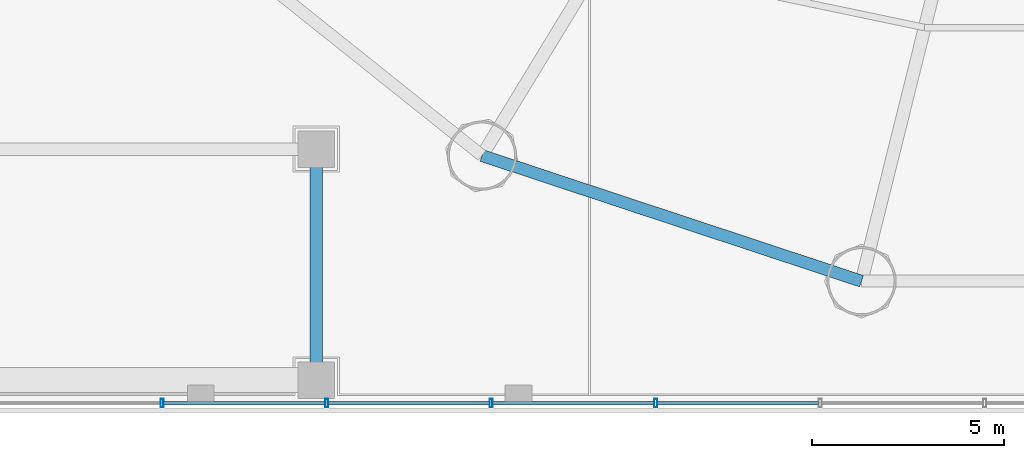
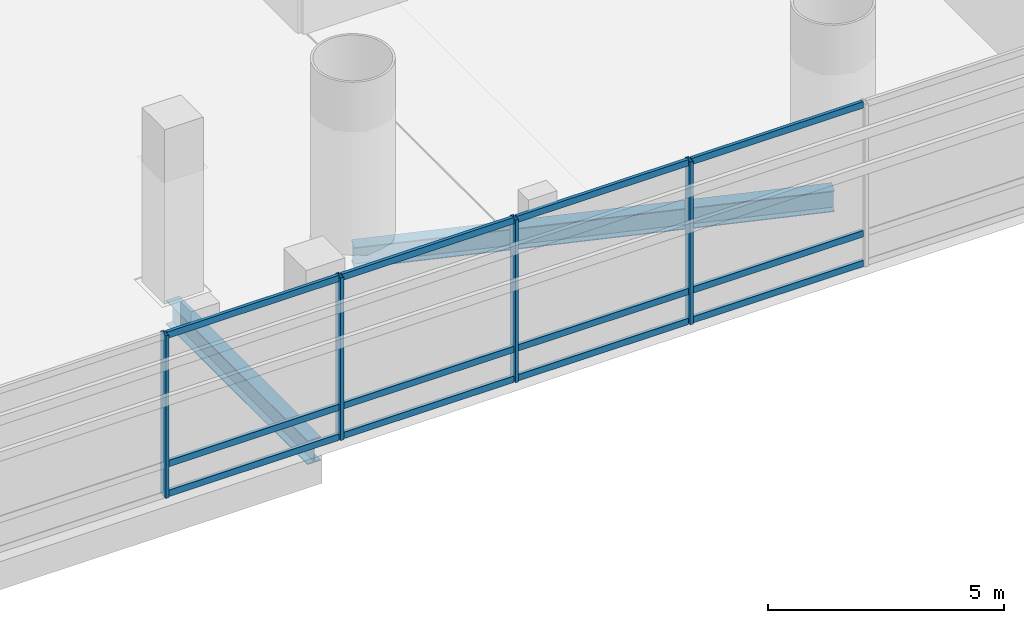
# One storey, part 4 of 36: 16 members, 2 beams, 1 element without a shape of its own.
"""IFC4 building model written with IfcOpenShell, lengths in metres."""

import ifcopenshell
import ifcopenshell.guid

model = None  # the IFC model being written
_history = None  # IfcOwnerHistory: only IFC2X3 demands one
_inside = {}  # id of a spatial element -> (the spatial element, [elements in it])
_under = {}  # id of a project, library or spatial element -> (it, [spatial elements below it])
_declared = {}  # id of a project -> (the project, [libraries it declares])
_typed = {}  # id of a type object -> (the type object, [elements of that type])
_made_of = {}  # id of a material, layer set ... -> (it, [elements and type objects made of it])


def new_model(schema):
    """Start an empty IFC model of exactly this schema.

    Asked for "IFC4X3", IfcOpenShell would pick the latest addendum, in which some entities
    have other attributes; the version numbers below select the first issue.
    IFC2X3 requires an IfcOwnerHistory on every rooted entity: one is made here for all.
    """
    global model, _history
    if schema == "IFC4X3":
        model = ifcopenshell.file(schema_version=(4, 3, 0, 0))
    else:
        model = ifcopenshell.file(schema=schema)
    _inside.clear()
    _under.clear()
    _declared.clear()
    _typed.clear()
    _made_of.clear()
    _history = None
    if model.schema == "IFC2X3":
        org = make("IfcOrganization", Name="unknown")
        user = make(
            "IfcPersonAndOrganization",
            ThePerson=make("IfcPerson", FamilyName="unknown"),
            TheOrganization=org,
        )
        app = make(
            "IfcApplication",
            ApplicationDeveloper=org,
            Version="unknown",
            ApplicationFullName="unknown",
            ApplicationIdentifier="unknown",
        )
        _history = make(
            "IfcOwnerHistory",
            OwningUser=user,
            OwningApplication=app,
            ChangeAction="ADDED",
            CreationDate=0,
        )
    return model


def make(cls, **values):
    """One entity of the class cls with the attributes given. An attribute that is None is left unset."""
    return model.create_entity(
        cls, **{name: value for name, value in values.items() if value is not None}
    )


def rooted(cls, **values):
    """An entity with a GlobalId (a new one), such as an element, a storey or a relation."""
    return make(cls, GlobalId=ifcopenshell.guid.new(), OwnerHistory=_history, **values)


def si_unit(unit_type, name, prefix=None):
    """IfcSIUnit, for example si_unit("LENGTHUNIT", "METRE", prefix="MILLI")."""
    return make("IfcSIUnit", UnitType=unit_type, Prefix=prefix, Name=name)


def assignment(units):
    """IfcUnitAssignment: the units of a project."""
    return None if units is None else make("IfcUnitAssignment", Units=units)


def point(xyz):
    """IfcCartesianPoint."""
    return None if xyz is None else make("IfcCartesianPoint", Coordinates=xyz)


def direction(xyz):
    """IfcDirection."""
    return None if xyz is None else make("IfcDirection", DirectionRatios=xyz)


def frame(location, z_axis=None, x_axis=None):
    """IfcAxis2Placement3D, a coordinate frame: its origin and axes. An axis left out is left unset."""
    return make(
        "IfcAxis2Placement3D",
        Location=point(location),
        Axis=direction(z_axis),
        RefDirection=direction(x_axis),
    )


def frame_2d(location, x_axis=None):
    """IfcAxis2Placement2D, a coordinate frame in the plane: its origin and x axis."""
    return make(
        "IfcAxis2Placement2D", Location=point(location), RefDirection=direction(x_axis)
    )


def origin():
    """The frame at (0, 0, 0) with its axes left unset."""
    return frame((0.0, 0.0, 0.0))


def origin_2d():
    """The frame at (0, 0) in the plane with its x axis left unset."""
    return frame_2d((0.0, 0.0))


def place(relative_to, where):
    """IfcLocalPlacement: puts the frame where relative to a parent placement (None: the world)."""
    return make(
        "IfcLocalPlacement", PlacementRelTo=relative_to, RelativePlacement=where
    )


def context(
    kind, dimensions, precision=None, world=None, true_north=None, identifier=None
):
    """IfcGeometricRepresentationContext, for example the 3D "Model" context."""
    return make(
        "IfcGeometricRepresentationContext",
        ContextIdentifier=identifier,
        ContextType=kind,
        CoordinateSpaceDimension=dimensions,
        Precision=precision,
        WorldCoordinateSystem=world,
        TrueNorth=true_north,
    )


def subcontext(parent, identifier, kind, view, scale=None):
    """IfcGeometricRepresentationSubContext, for example "Body" below "Model"."""
    return make(
        "IfcGeometricRepresentationSubContext",
        ContextIdentifier=identifier,
        ContextType=kind,
        ParentContext=parent,
        TargetScale=scale,
        TargetView=view,
    )


def project(units=None, contexts=None):
    """IfcProject with its units and contexts."""
    return rooted(
        "IfcProject",
        Name="project",
        RepresentationContexts=contexts,
        UnitsInContext=assignment(units),
    )


def spatial(cls, under=None, at=None, **own):
    """A site, building, storey or space (cls), placed at a placement, below another one or the project."""
    s = rooted(cls, ObjectPlacement=at, **own)
    if under is not None:
        _under.setdefault(under.id(), (under, []))[1].append(s)
    return s


def profile(cls, at=None, kind="AREA", **sizes):
    """A parametric profile (cls). Its sizes go by their IFC names, for example OverallWidth=200.0."""
    return make(cls, ProfileType=kind, Position=at, **sizes)


def hollow_rectangle(**sizes):
    """IfcRectangleHollowProfileDef."""
    return profile("IfcRectangleHollowProfileDef", **sizes)


def i_section(**sizes):
    """IfcIShapeProfileDef."""
    return profile("IfcIShapeProfileDef", **sizes)


def extrude(swept, where, along, depth):
    """IfcExtrudedAreaSolid: the profile swept, set in the frame where, extruded along a direction by depth."""
    return make(
        "IfcExtrudedAreaSolid",
        SweptArea=swept,
        Position=where,
        ExtrudedDirection=direction(along),
        Depth=depth,
    )


def shape(context_of_items, identifier, shape_type, items):
    """IfcShapeRepresentation: the items that make up one representation, for example the "Body"."""
    return make(
        "IfcShapeRepresentation",
        ContextOfItems=context_of_items,
        RepresentationIdentifier=identifier,
        RepresentationType=shape_type,
        Items=items,
    )


def source(mapping_origin, context_of_items, identifier, shape_type, items):
    """IfcRepresentationMap: a shape defined once, which mapped items show again and again."""
    return make(
        "IfcRepresentationMap",
        MappingOrigin=mapping_origin,
        MappedRepresentation=shape(context_of_items, identifier, shape_type, items),
    )


def transform(
    local_origin,
    x_axis=None,
    y_axis=None,
    z_axis=None,
    scale=None,
    scale2=None,
    scale3=None,
    uniform=True,
):
    """IfcCartesianTransformationOperator3D, or its non-uniform kind. x_axis, y_axis, z_axis: its Axis1, 2, 3."""
    if uniform:
        return make(
            "IfcCartesianTransformationOperator3D",
            Axis1=direction(x_axis),
            Axis2=direction(y_axis),
            LocalOrigin=point(local_origin),
            Scale=scale,
            Axis3=direction(z_axis),
        )
    return make(
        "IfcCartesianTransformationOperator3DnonUniform",
        Axis1=direction(x_axis),
        Axis2=direction(y_axis),
        LocalOrigin=point(local_origin),
        Scale=scale,
        Axis3=direction(z_axis),
        Scale2=scale2,
        Scale3=scale3,
    )


def mapped(mapping_source, mapping_target):
    """IfcMappedItem: shows the shape of a source again, moved by a transform."""
    return make(
        "IfcMappedItem", MappingSource=mapping_source, MappingTarget=mapping_target
    )


def material(Name=None, Category=None):
    """IfcMaterial."""
    return make("IfcMaterial", Name=Name, Category=Category)


def material_profile(
    of_material, cross_section, Name=None, Category=None, Priority=None
):
    """IfcMaterialProfile: a cross section and its material."""
    return make(
        "IfcMaterialProfile",
        Name=Name,
        Material=of_material,
        Profile=cross_section,
        Priority=Priority,
        Category=Category,
    )


def profile_set(profiles, Name=None, composite=None):
    """IfcMaterialProfileSet."""
    return make(
        "IfcMaterialProfileSet",
        Name=Name,
        MaterialProfiles=profiles,
        CompositeProfile=composite,
    )


def made_of(thing, what):
    """Note that an element or type object is made of a material, layer set ...; save() writes the relation."""
    if what is not None:
        _made_of.setdefault(what.id(), (what, []))[1].append(thing)
    return thing


def type_object(cls, material=None, **own):
    """A type object (cls), such as IfcWallType, which elements share."""
    return made_of(rooted(cls, **own), material)


def element(
    cls,
    number,
    at=None,
    inside=None,
    cuts=None,
    type_object=None,
    material=None,
    context=None,
    identifier="Body",
    shape_type=None,
    held_by="IfcProductDefinitionShape",
    body=None,
    shapes=None,
    **own,
):
    """One element of the class cls, such as IfcWall. Its Tag is "e" and its number.

    at: its placement. inside: the storey or other place that contains it. cuts: it is an
    opening in that element (IfcRelVoidsElement). A single representation is given by context,
    identifier, shape_type and body (its items); several are given by shapes. held_by: the class
    of the entity that holds the representations. save() writes the other relations.
    """
    e = rooted(cls, Tag="e%d" % number, ObjectPlacement=at, **own)
    if body is not None:
        shapes = [shape(context, identifier, shape_type, body)]
    if shapes is not None:
        e.Representation = make(held_by, Representations=shapes)
    if inside is not None:
        _inside.setdefault(inside.id(), (inside, []))[1].append(e)
    if cuts is not None:
        rooted(
            "IfcRelVoidsElement", RelatingBuildingElement=cuts, RelatedOpeningElement=e
        )
    if type_object is not None:
        _typed.setdefault(type_object.id(), (type_object, []))[1].append(e)
    return made_of(e, material)


def aggregate(whole, parts):
    """IfcRelAggregates: a whole, such as a stair, and the parts it consists of."""
    return rooted("IfcRelAggregates", RelatingObject=whole, RelatedObjects=parts)


def save(model, path):
    """Write the relations noted so far, then the file.

    IfcRelAggregates (storeys below a building ...), IfcRelContainedInSpatialStructure (elements
    in a storey), IfcRelDefinesByType, IfcRelAssociatesMaterial and IfcRelDeclares: one each for
    every whole, place, type object, material and project.
    """
    for whole, parts in _under.values():
        aggregate(whole, parts)
    for where, things in _inside.values():
        rooted(
            "IfcRelContainedInSpatialStructure",
            RelatedElements=things,
            RelatingStructure=where,
        )
    for kind, things in _typed.values():
        rooted("IfcRelDefinesByType", RelatedObjects=things, RelatingType=kind)
    for what, things in _made_of.values():
        rooted("IfcRelAssociatesMaterial", RelatedObjects=things, RelatingMaterial=what)
    for by, libraries in _declared.values():
        rooted("IfcRelDeclares", RelatingContext=by, RelatedDefinitions=libraries)
    model.write(path)


model = new_model("IFC4")

# Units and contexts
model_context = context("Model", 3, precision=1e-05, world=origin(), true_north=direction((-0.2419218956, 0.970295726276)))
body_context = subcontext(model_context, "Body", "Model", "MODEL_VIEW")
ifc_project = project(units=[si_unit("LENGTHUNIT", "METRE"), si_unit("AREAUNIT", "SQUARE_METRE"), si_unit("VOLUMEUNIT", "CUBIC_METRE"), si_unit("PLANEANGLEUNIT", "RADIAN"), si_unit("MASSUNIT", "GRAM", prefix="KILO")], contexts=[model_context])

# Site, building, storey
site_placement = place(None, origin())
site = spatial("IfcSite", under=ifc_project, at=site_placement, CompositionType="ELEMENT")
building_placement = place(site_placement, origin())
building = spatial("IfcBuilding", under=site, at=building_placement, Name="Cobrevalo Terracotta Tower", CompositionType="ELEMENT")
storey_placement = place(building_placement, frame((0.0, 0.0, 5.39990234375)))
storey = spatial("IfcBuildingStorey", under=building, at=storey_placement, Name="L01", CompositionType="ELEMENT", Elevation=5.39990234375)

# Beams
ifc_material_1 = material(Name="Steel S355", Category="steel")
ifc_material_profile_1 = material_profile(ifc_material_1, i_section(OverallWidth=0.324951171875, OverallDepth=0.615966796875, WebThickness=0.013916015625, FlangeThickness=0.021484375, at=origin_2d()), Name="W 610x174")
ifc_profile_set_1 = profile_set([ifc_material_profile_1], Name="Steel S355")
beam_type_1 = type_object("IfcBeamType", Name="Structural Beam W 610x174 (Steel S355)", PredefinedType="BEAM", material=ifc_profile_set_1)
beam_1_placement = place(storey_placement, frame((18.5, 2.800048828125, -0.60791015625), z_axis=(0.0, 1.0, 0.0), x_axis=(-1.0, 0.0, 0.0)))
element("IfcBeam", 1, at=beam_1_placement, inside=storey, type_object=beam_type_1, Name="L01 podium grid beam G3-GA to G3-GB", PredefinedType="BEAM", context=body_context, shape_type="SweptSolid", body=[
    extrude(i_section(OverallWidth=0.324951171875, OverallDepth=0.615966796875, WebThickness=0.013916015625, FlangeThickness=0.021484375, at=origin_2d()), origin(), (0.0, 0.0, 1.0), 6.0),
])
ifc_material_profile_2 = material_profile(ifc_material_1, i_section(OverallWidth=0.31201171875, OverallDepth=0.54296875, WebThickness=0.0126953125, FlangeThickness=0.020263671875, at=origin_2d()), Name="W 530x150")
ifc_profile_set_2 = profile_set([ifc_material_profile_2], Name="Steel S355")
beam_type_2 = type_object("IfcBeamType", Name="Structural Spandrel W 530x150 (Steel S355)", PredefinedType="SPANDREL", material=ifc_profile_set_2)
beam_2_placement = place(storey_placement, frame((22.80517578125, 8.63232421875, -0.5712890625), z_axis=(0.949372202648, -0.314153498848, 0.0), x_axis=(0.314153498848, 0.949372202648, 0.0)))
element("IfcBeam", 2, at=beam_2_placement, inside=storey, type_object=beam_type_2, Name="L01 perimeter ring spandrel 11", PredefinedType="SPANDREL", context=body_context, shape_type="SweptSolid", body=[
    extrude(i_section(OverallWidth=0.31201171875, OverallDepth=0.54296875, WebThickness=0.0126953125, FlangeThickness=0.020263671875, at=origin_2d()), origin(), (0.0, 0.0, 1.0), 10.385009765625),
])

# Curtain wall, members
ifc_material_2 = material(Name="Anodized aluminium", Category="aluminium")
curtain_wall_type = type_object("IfcCurtainWallType", Name="Double-height storefront stick curtain wall CW-S1", PredefinedType="NOTDEFINED", material=ifc_material_2)
curtain_wall_placement = place(storey_placement, origin())
curtain_wall = element("IfcCurtainWall", 3, at=curtain_wall_placement, inside=storey, type_object=curtain_wall_type, Name="L01 curtain wall CW-POD-L01-S", PredefinedType="NOTDEFINED")
ifc_material_profile_3 = material_profile(ifc_material_2, hollow_rectangle(XDim=0.080078125, YDim=0.219970703125, WallThickness=0.0048828125, at=origin_2d()), Name="CWM 80x220")
ifc_profile_set_3 = profile_set([ifc_material_profile_3], Name="Anodized aluminium")
member_type_1 = type_object("IfcMemberType", Name="Storefront & atrium aluminium mullion 80x220", PredefinedType="MULLION", material=ifc_profile_set_3)
shared_shape_1 = source(origin(), body_context, "Body", "SweptSolid", [
    extrude(hollow_rectangle(XDim=0.080078125, YDim=0.219970703125, WallThickness=0.0048828125, at=origin_2d()), origin(), (0.0, 0.0, 1.0), 4.2001953125),
])
member_1_placement = place(storey_placement, frame((14.49658203125, 2.199951171875, 0.0), z_axis=(0.0, 0.0, 1.0), x_axis=(1.0, 0.0, 0.0)))
member_1 = element("IfcMember", 4, at=member_1_placement, type_object=member_type_1, Name="CW-POD-L01-S vertical mullion 03", PredefinedType="MULLION", context=body_context, shape_type="MappedRepresentation", body=[
    mapped(shared_shape_1, transform((0.0, 0.0, 0.0), scale=1.0)),
])
member_2_placement = place(storey_placement, frame((18.77001953125, 2.199951171875, 0.0), z_axis=(0.0, 0.0, 1.0), x_axis=(1.0, 0.0, 0.0)))
member_2 = element("IfcMember", 5, at=member_2_placement, type_object=member_type_1, Name="CW-POD-L01-S vertical mullion 04", PredefinedType="MULLION", context=body_context, shape_type="MappedRepresentation", body=[
    mapped(shared_shape_1, transform((0.0, 0.0, 0.0), scale=1.0)),
])
member_3_placement = place(storey_placement, frame((23.043212890625, 2.199951171875, 0.0), z_axis=(0.0, 0.0, 1.0), x_axis=(1.0, 0.0, 0.0)))
member_3 = element("IfcMember", 6, at=member_3_placement, type_object=member_type_1, Name="CW-POD-L01-S vertical mullion 05", PredefinedType="MULLION", context=body_context, shape_type="MappedRepresentation", body=[
    mapped(shared_shape_1, transform((0.0, 0.0, 0.0), scale=1.0)),
])
member_4_placement = place(storey_placement, frame((27.316650390625, 2.199951171875, 0.0), z_axis=(0.0, 0.0, 1.0), x_axis=(1.0, 0.0, 0.0)))
member_4 = element("IfcMember", 7, at=member_4_placement, type_object=member_type_1, Name="CW-POD-L01-S vertical mullion 06", PredefinedType="MULLION", context=body_context, shape_type="MappedRepresentation", body=[
    mapped(shared_shape_1, transform((0.0, 0.0, 0.0), scale=1.0)),
])
ifc_material_profile_4 = material_profile(ifc_material_2, hollow_rectangle(XDim=0.080078125, YDim=0.1650390625, WallThickness=0.00439453125, at=origin_2d()), Name="CWT 80x165")
ifc_profile_set_4 = profile_set([ifc_material_profile_4], Name="Anodized aluminium")
member_type_2 = type_object("IfcMemberType", Name="Storefront & atrium aluminium transom 80x165", PredefinedType="USERDEFINED", material=ifc_profile_set_4)
shared_shape_2 = source(origin(), body_context, "Body", "SweptSolid", [
    extrude(hollow_rectangle(XDim=0.080078125, YDim=0.1650390625, WallThickness=0.00439453125, at=origin_2d()), origin(), (0.0, 0.0, 1.0), 4.193359375),
])
member_5_placement = place(storey_placement, frame((14.53662109375, 2.199951171875, 0.050048828125), z_axis=(1.0, 0.0, 0.0), x_axis=(0.0, 1.0, 0.0)))
member_5 = element("IfcMember", 8, at=member_5_placement, type_object=member_type_2, Name="CW-POD-L01-S transom B03-T1", ObjectType="TRANSOM", PredefinedType="USERDEFINED", context=body_context, shape_type="MappedRepresentation", body=[
    mapped(shared_shape_2, transform((0.0, 0.0, 0.0), scale=1.0)),
])
member_6_placement = place(storey_placement, frame((14.53662109375, 2.199951171875, 0.820068359375), z_axis=(1.0, 0.0, 0.0), x_axis=(0.0, 1.0, 0.0)))
member_6 = element("IfcMember", 9, at=member_6_placement, type_object=member_type_2, Name="CW-POD-L01-S transom B03-T2", ObjectType="TRANSOM", PredefinedType="USERDEFINED", context=body_context, shape_type="MappedRepresentation", body=[
    mapped(shared_shape_2, transform((0.0, 0.0, 0.0), scale=1.0)),
])
member_7_placement = place(storey_placement, frame((14.53662109375, 2.199951171875, 4.150146484375), z_axis=(1.0, 0.0, 0.0), x_axis=(0.0, 1.0, 0.0)))
member_7 = element("IfcMember", 10, at=member_7_placement, type_object=member_type_2, Name="CW-POD-L01-S transom B03-T3", ObjectType="TRANSOM", PredefinedType="USERDEFINED", context=body_context, shape_type="MappedRepresentation", body=[
    mapped(shared_shape_2, transform((0.0, 0.0, 0.0), scale=1.0)),
])
member_8_placement = place(storey_placement, frame((18.81005859375, 2.199951171875, 0.050048828125), z_axis=(1.0, 0.0, 0.0), x_axis=(0.0, 1.0, 0.0)))
member_8 = element("IfcMember", 11, at=member_8_placement, type_object=member_type_2, Name="CW-POD-L01-S transom B04-T1", ObjectType="TRANSOM", PredefinedType="USERDEFINED", context=body_context, shape_type="MappedRepresentation", body=[
    mapped(shared_shape_2, transform((0.0, 0.0, 0.0), scale=1.0)),
])
member_9_placement = place(storey_placement, frame((18.81005859375, 2.199951171875, 0.820068359375), z_axis=(1.0, 0.0, 0.0), x_axis=(0.0, 1.0, 0.0)))
member_9 = element("IfcMember", 12, at=member_9_placement, type_object=member_type_2, Name="CW-POD-L01-S transom B04-T2", ObjectType="TRANSOM", PredefinedType="USERDEFINED", context=body_context, shape_type="MappedRepresentation", body=[
    mapped(shared_shape_2, transform((0.0, 0.0, 0.0), scale=1.0)),
])
member_10_placement = place(storey_placement, frame((18.81005859375, 2.199951171875, 4.150146484375), z_axis=(1.0, 0.0, 0.0), x_axis=(0.0, 1.0, 0.0)))
member_10 = element("IfcMember", 13, at=member_10_placement, type_object=member_type_2, Name="CW-POD-L01-S transom B04-T3", ObjectType="TRANSOM", PredefinedType="USERDEFINED", context=body_context, shape_type="MappedRepresentation", body=[
    mapped(shared_shape_2, transform((0.0, 0.0, 0.0), scale=1.0)),
])
member_11_placement = place(storey_placement, frame((23.083251953125, 2.199951171875, 0.050048828125), z_axis=(1.0, 0.0, 0.0), x_axis=(0.0, 1.0, 0.0)))
member_11 = element("IfcMember", 14, at=member_11_placement, type_object=member_type_2, Name="CW-POD-L01-S transom B05-T1", ObjectType="TRANSOM", PredefinedType="USERDEFINED", context=body_context, shape_type="MappedRepresentation", body=[
    mapped(shared_shape_2, transform((0.0, 0.0, 0.0), scale=1.0)),
])
member_12_placement = place(storey_placement, frame((23.083251953125, 2.199951171875, 0.820068359375), z_axis=(1.0, 0.0, 0.0), x_axis=(0.0, 1.0, 0.0)))
member_12 = element("IfcMember", 15, at=member_12_placement, type_object=member_type_2, Name="CW-POD-L01-S transom B05-T2", ObjectType="TRANSOM", PredefinedType="USERDEFINED", context=body_context, shape_type="MappedRepresentation", body=[
    mapped(shared_shape_2, transform((0.0, 0.0, 0.0), scale=1.0)),
])
member_13_placement = place(storey_placement, frame((23.083251953125, 2.199951171875, 4.150146484375), z_axis=(1.0, 0.0, 0.0), x_axis=(0.0, 1.0, 0.0)))
member_13 = element("IfcMember", 16, at=member_13_placement, type_object=member_type_2, Name="CW-POD-L01-S transom B05-T3", ObjectType="TRANSOM", PredefinedType="USERDEFINED", context=body_context, shape_type="MappedRepresentation", body=[
    mapped(shared_shape_2, transform((0.0, 0.0, 0.0), scale=1.0)),
])
member_14_placement = place(storey_placement, frame((27.356689453125, 2.199951171875, 0.050048828125), z_axis=(1.0, 0.0, 0.0), x_axis=(0.0, 1.0, 0.0)))
member_14 = element("IfcMember", 17, at=member_14_placement, type_object=member_type_2, Name="CW-POD-L01-S transom B06-T1", ObjectType="TRANSOM", PredefinedType="USERDEFINED", context=body_context, shape_type="MappedRepresentation", body=[
    mapped(shared_shape_2, transform((0.0, 0.0, 0.0), scale=1.0)),
])
member_15_placement = place(storey_placement, frame((27.356689453125, 2.199951171875, 0.820068359375), z_axis=(1.0, 0.0, 0.0), x_axis=(0.0, 1.0, 0.0)))
member_15 = element("IfcMember", 18, at=member_15_placement, type_object=member_type_2, Name="CW-POD-L01-S transom B06-T2", ObjectType="TRANSOM", PredefinedType="USERDEFINED", context=body_context, shape_type="MappedRepresentation", body=[
    mapped(shared_shape_2, transform((0.0, 0.0, 0.0), scale=1.0)),
])
member_16_placement = place(storey_placement, frame((27.356689453125, 2.199951171875, 4.150146484375), z_axis=(1.0, 0.0, 0.0), x_axis=(0.0, 1.0, 0.0)))
member_16 = element("IfcMember", 19, at=member_16_placement, type_object=member_type_2, Name="CW-POD-L01-S transom B06-T3", ObjectType="TRANSOM", PredefinedType="USERDEFINED", context=body_context, shape_type="MappedRepresentation", body=[
    mapped(shared_shape_2, transform((0.0, 0.0, 0.0), scale=1.0)),
])
aggregate(curtain_wall, [member_1, member_2, member_3, member_4, member_5, member_6, member_7, member_8, member_9, member_10, member_11, member_12, member_13, member_14, member_15, member_16])

save(model, "model.ifc")
